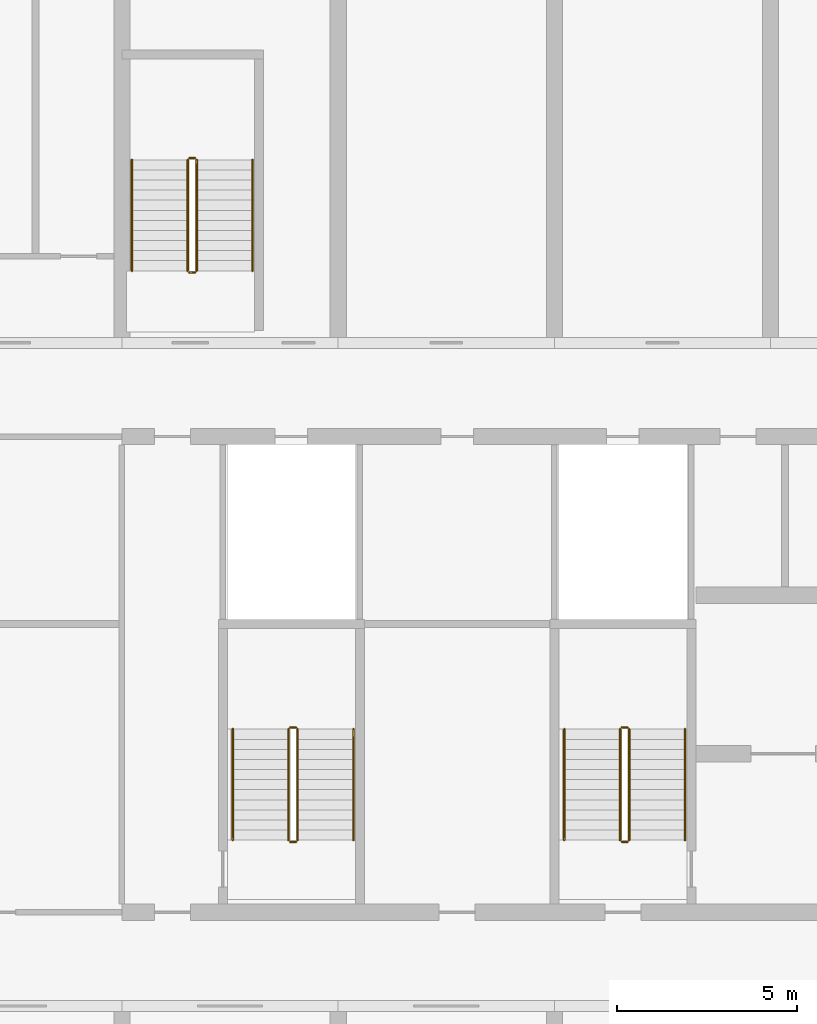
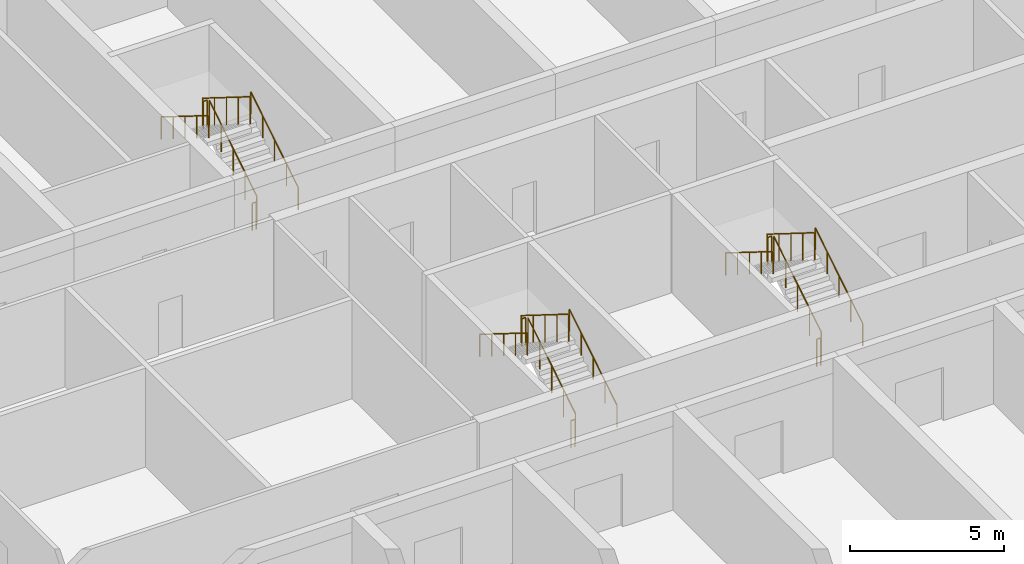
# One storey, part 13 of 16: 18 railings.
"""IFC4 building model written with IfcOpenShell, lengths in metres."""

from ifc_helpers import new_model, si_unit, direction, frame, origin, origin_2d, place, context, subcontext, project, spatial, circle, extrude, material, type_object, element, save


model = new_model("IFC4")

# Units and contexts
model_context = context("Model", 3, precision=1e-05, world=origin(), true_north=direction((0.0, 1.0)))
body_context = subcontext(model_context, "Body", "Model", "MODEL_VIEW")
ifc_project = project(units=[si_unit("LENGTHUNIT", "METRE"), si_unit("AREAUNIT", "SQUARE_METRE"), si_unit("VOLUMEUNIT", "CUBIC_METRE"), si_unit("PLANEANGLEUNIT", "RADIAN"), si_unit("MASSUNIT", "GRAM", prefix="KILO")], contexts=[model_context])

# Site, building, storey
site_placement = place(None, origin())
site = spatial("IfcSite", under=ifc_project, at=site_placement, CompositionType="ELEMENT")
building_placement = place(site_placement, origin())
building = spatial("IfcBuilding", under=site, at=building_placement, Name="Poui Terraces", CompositionType="ELEMENT")
storey_placement = place(building_placement, frame((0.0, 0.0, 15.0)))
storey = spatial("IfcBuildingStorey", under=building, at=storey_placement, Name="L03", CompositionType="ELEMENT", Elevation=15.0)

# Railings
ifc_material_1 = material(Name="Galvanised steel balustrade", Category="steel")
railing_type_1 = type_object("IfcRailingType", Name="STAIR GUARD 1100", PredefinedType="GUARDRAIL", material=ifc_material_1)
railing_1_placement = place(storey_placement, frame((32.074951171875, 16.60009765625, 0.175048828125)))
element("IfcRailing", 1, at=railing_1_placement, inside=storey, type_object=railing_type_1, Name="L03 ST-CW stair guard 1", PredefinedType="GUARDRAIL", context=body_context, shape_type="SweptSolid", body=[
    extrude(circle(Radius=0.02392578125, at=origin_2d()), frame((0.0, 0.0, 1.076171875), z_axis=(0.0, 0.847979421464, 0.530029150871), x_axis=(-1.0, 0.0, 0.0)), (0.0, 0.0, 1.0), 3.632080078125),
    extrude(circle(Radius=0.02099609375, at=origin_2d()), origin(), (0.0, 0.0, 1.0), 1.052001953125),
    extrude(circle(Radius=0.02099609375, at=origin_2d()), frame((0.0, 0.77001953125, 0.481201171875)), (0.0, 0.0, 1.0), 1.052001953125),
    extrude(circle(Radius=0.02099609375, at=origin_2d()), frame((0.0, 1.5400390625, 0.96240234375)), (0.0, 0.0, 1.0), 1.052001953125),
    extrude(circle(Radius=0.02099609375, at=origin_2d()), frame((0.0, 2.309814453125, 1.44384765625)), (0.0, 0.0, 1.0), 1.052001953125),
    extrude(circle(Radius=0.02099609375, at=origin_2d()), frame((0.0, 3.079833984375, 1.925048828125)), (0.0, 0.0, 1.0), 1.052001953125),
])
railing_2_placement = place(storey_placement, frame((32.02490234375, 19.72998046875, 2.10009765625)))
element("IfcRailing", 2, at=railing_2_placement, inside=storey, type_object=railing_type_1, Name="L03 ST-CW stair guard 2", PredefinedType="GUARDRAIL", context=body_context, shape_type="SweptSolid", body=[
    extrude(circle(Radius=0.02392578125, at=origin_2d()), frame((0.0, 0.0, 1.076171875), z_axis=(-1.0, 0.0, 0.0), x_axis=(0.0, -1.0, 0.0)), (0.0, 0.0, 1.0), 0.14990234375),
    extrude(circle(Radius=0.02099609375, at=origin_2d()), origin(), (0.0, 0.0, 1.0), 1.052001953125),
    extrude(circle(Radius=0.02099609375, at=origin_2d()), frame((-0.14990234375, 0.0, 0.0)), (0.0, 0.0, 1.0), 1.052001953125),
])
railing_3_placement = place(storey_placement, frame((31.824951171875, 19.679931640625, 2.27490234375)))
element("IfcRailing", 3, at=railing_3_placement, inside=storey, type_object=railing_type_1, Name="L03 ST-CW stair guard 3", PredefinedType="GUARDRAIL", context=body_context, shape_type="SweptSolid", body=[
    extrude(circle(Radius=0.02392578125, at=origin_2d()), frame((0.0, 0.0, 1.076171875), z_axis=(0.0, -0.847979421464, 0.530029150871), x_axis=(1.0, 0.0, 0.0)), (0.0, 0.0, 1.0), 3.632080078125),
    extrude(circle(Radius=0.02099609375, at=origin_2d()), origin(), (0.0, 0.0, 1.0), 1.052001953125),
    extrude(circle(Radius=0.02099609375, at=origin_2d()), frame((0.0, -0.77001953125, 0.481201171875)), (0.0, 0.0, 1.0), 1.052001953125),
    extrude(circle(Radius=0.02099609375, at=origin_2d()), frame((0.0, -1.5400390625, 0.96240234375)), (0.0, 0.0, 1.0), 1.052001953125),
    extrude(circle(Radius=0.02099609375, at=origin_2d()), frame((0.0, -2.309814453125, 1.44384765625)), (0.0, 0.0, 1.0), 1.052001953125),
    extrude(circle(Radius=0.02099609375, at=origin_2d()), frame((0.0, -3.079833984375, 1.925048828125)), (0.0, 0.0, 1.0), 1.052001953125),
])
railing_4_placement = place(storey_placement, frame((32.02490234375, 16.550048828125, 0.0)))
element("IfcRailing", 4, at=railing_4_placement, inside=storey, type_object=railing_type_1, Name="L03 ST-CW stair guard 4", PredefinedType="GUARDRAIL", context=body_context, shape_type="SweptSolid", body=[
    extrude(circle(Radius=0.02392578125, at=origin_2d()), frame((0.0, 0.0, 1.076171875), z_axis=(-1.0, 0.0, 0.0), x_axis=(0.0, -1.0, 0.0)), (0.0, 0.0, 1.0), 0.14990234375),
    extrude(circle(Radius=0.02099609375, at=origin_2d()), origin(), (0.0, 0.0, 1.0), 1.052001953125),
    extrude(circle(Radius=0.02099609375, at=origin_2d()), frame((-0.14990234375, 0.0, 0.0)), (0.0, 0.0, 1.0), 1.052001953125),
])
railing_5_placement = place(storey_placement, frame((22.875, 16.60009765625, 0.175048828125)))
element("IfcRailing", 5, at=railing_5_placement, inside=storey, type_object=railing_type_1, Name="L03 ST-W stair guard 1", PredefinedType="GUARDRAIL", context=body_context, shape_type="SweptSolid", body=[
    extrude(circle(Radius=0.02392578125, at=origin_2d()), frame((0.0, 0.0, 1.076171875), z_axis=(0.0, 0.847979421464, 0.530029150871), x_axis=(-1.0, 0.0, 0.0)), (0.0, 0.0, 1.0), 3.632080078125),
    extrude(circle(Radius=0.02099609375, at=origin_2d()), origin(), (0.0, 0.0, 1.0), 1.052001953125),
    extrude(circle(Radius=0.02099609375, at=origin_2d()), frame((0.0, 0.77001953125, 0.481201171875)), (0.0, 0.0, 1.0), 1.052001953125),
    extrude(circle(Radius=0.02099609375, at=origin_2d()), frame((0.0, 1.5400390625, 0.96240234375)), (0.0, 0.0, 1.0), 1.052001953125),
    extrude(circle(Radius=0.02099609375, at=origin_2d()), frame((0.0, 2.309814453125, 1.44384765625)), (0.0, 0.0, 1.0), 1.052001953125),
    extrude(circle(Radius=0.02099609375, at=origin_2d()), frame((0.0, 3.079833984375, 1.925048828125)), (0.0, 0.0, 1.0), 1.052001953125),
])
railing_6_placement = place(storey_placement, frame((22.824951171875, 19.72998046875, 2.10009765625)))
element("IfcRailing", 6, at=railing_6_placement, inside=storey, type_object=railing_type_1, Name="L03 ST-W stair guard 2", PredefinedType="GUARDRAIL", context=body_context, shape_type="SweptSolid", body=[
    extrude(circle(Radius=0.02392578125, at=origin_2d()), frame((0.0, 0.0, 1.076171875), z_axis=(-1.0, 0.0, 0.0), x_axis=(0.0, -1.0, 0.0)), (0.0, 0.0, 1.0), 0.14990234375),
    extrude(circle(Radius=0.02099609375, at=origin_2d()), origin(), (0.0, 0.0, 1.0), 1.052001953125),
    extrude(circle(Radius=0.02099609375, at=origin_2d()), frame((-0.14990234375, 0.0, 0.0)), (0.0, 0.0, 1.0), 1.052001953125),
])
railing_7_placement = place(storey_placement, frame((22.625, 19.679931640625, 2.27490234375)))
element("IfcRailing", 7, at=railing_7_placement, inside=storey, type_object=railing_type_1, Name="L03 ST-W stair guard 3", PredefinedType="GUARDRAIL", context=body_context, shape_type="SweptSolid", body=[
    extrude(circle(Radius=0.02392578125, at=origin_2d()), frame((0.0, 0.0, 1.076171875), z_axis=(0.0, -0.847979421464, 0.530029150871), x_axis=(1.0, 0.0, 0.0)), (0.0, 0.0, 1.0), 3.632080078125),
    extrude(circle(Radius=0.02099609375, at=origin_2d()), origin(), (0.0, 0.0, 1.0), 1.052001953125),
    extrude(circle(Radius=0.02099609375, at=origin_2d()), frame((0.0, -0.77001953125, 0.481201171875)), (0.0, 0.0, 1.0), 1.052001953125),
    extrude(circle(Radius=0.02099609375, at=origin_2d()), frame((0.0, -1.5400390625, 0.96240234375)), (0.0, 0.0, 1.0), 1.052001953125),
    extrude(circle(Radius=0.02099609375, at=origin_2d()), frame((0.0, -2.309814453125, 1.44384765625)), (0.0, 0.0, 1.0), 1.052001953125),
    extrude(circle(Radius=0.02099609375, at=origin_2d()), frame((0.0, -3.079833984375, 1.925048828125)), (0.0, 0.0, 1.0), 1.052001953125),
])
railing_8_placement = place(storey_placement, frame((22.824951171875, 16.550048828125, 0.0)))
element("IfcRailing", 8, at=railing_8_placement, inside=storey, type_object=railing_type_1, Name="L03 ST-W stair guard 4", PredefinedType="GUARDRAIL", context=body_context, shape_type="SweptSolid", body=[
    extrude(circle(Radius=0.02392578125, at=origin_2d()), frame((0.0, 0.0, 1.076171875), z_axis=(-1.0, 0.0, 0.0), x_axis=(0.0, -1.0, 0.0)), (0.0, 0.0, 1.0), 0.14990234375),
    extrude(circle(Radius=0.02099609375, at=origin_2d()), origin(), (0.0, 0.0, 1.0), 1.052001953125),
    extrude(circle(Radius=0.02099609375, at=origin_2d()), frame((-0.14990234375, 0.0, 0.0)), (0.0, 0.0, 1.0), 1.052001953125),
])
railing_9_placement = place(storey_placement, frame((20.074951171875, 32.39990234375, 0.175048828125)))
element("IfcRailing", 9, at=railing_9_placement, inside=storey, type_object=railing_type_1, Name="L03 ST-N1 stair guard 1", PredefinedType="GUARDRAIL", context=body_context, shape_type="SweptSolid", body=[
    extrude(circle(Radius=0.02392578125, at=origin_2d()), frame((0.0, 0.0, 1.076171875), z_axis=(0.0, 0.847998304005, 0.529998940003), x_axis=(-1.0, 0.0, 0.0)), (0.0, 0.0, 1.0), 3.632080078125),
    extrude(circle(Radius=0.02099609375, at=origin_2d()), origin(), (0.0, 0.0, 1.0), 1.052001953125),
    extrude(circle(Radius=0.02099609375, at=origin_2d()), frame((0.0, 0.77001953125, 0.481201171875)), (0.0, 0.0, 1.0), 1.052001953125),
    extrude(circle(Radius=0.02099609375, at=origin_2d()), frame((0.0, 1.5400390625, 0.96240234375)), (0.0, 0.0, 1.0), 1.052001953125),
    extrude(circle(Radius=0.02099609375, at=origin_2d()), frame((0.0, 2.31005859375, 1.44384765625)), (0.0, 0.0, 1.0), 1.052001953125),
    extrude(circle(Radius=0.02099609375, at=origin_2d()), frame((0.0, 3.080078125, 1.925048828125)), (0.0, 0.0, 1.0), 1.052001953125),
])
railing_10_placement = place(storey_placement, frame((20.02490234375, 35.530029296875, 2.10009765625)))
element("IfcRailing", 10, at=railing_10_placement, inside=storey, type_object=railing_type_1, Name="L03 ST-N1 stair guard 2", PredefinedType="GUARDRAIL", context=body_context, shape_type="SweptSolid", body=[
    extrude(circle(Radius=0.02392578125, at=origin_2d()), frame((0.0, 0.0, 1.076171875), z_axis=(-1.0, 0.0, 0.0), x_axis=(0.0, -1.0, 0.0)), (0.0, 0.0, 1.0), 0.14990234375),
    extrude(circle(Radius=0.02099609375, at=origin_2d()), origin(), (0.0, 0.0, 1.0), 1.052001953125),
    extrude(circle(Radius=0.02099609375, at=origin_2d()), frame((-0.14990234375, 0.0, 0.0)), (0.0, 0.0, 1.0), 1.052001953125),
])
railing_11_placement = place(storey_placement, frame((19.824951171875, 35.47998046875, 2.27490234375)))
element("IfcRailing", 11, at=railing_11_placement, inside=storey, type_object=railing_type_1, Name="L03 ST-N1 stair guard 3", PredefinedType="GUARDRAIL", context=body_context, shape_type="SweptSolid", body=[
    extrude(circle(Radius=0.02392578125, at=origin_2d()), frame((0.0, 0.0, 1.076171875), z_axis=(0.0, -0.847998304005, 0.529998940003), x_axis=(1.0, 0.0, 0.0)), (0.0, 0.0, 1.0), 3.632080078125),
    extrude(circle(Radius=0.02099609375, at=origin_2d()), origin(), (0.0, 0.0, 1.0), 1.052001953125),
    extrude(circle(Radius=0.02099609375, at=origin_2d()), frame((0.0, -0.77001953125, 0.481201171875)), (0.0, 0.0, 1.0), 1.052001953125),
    extrude(circle(Radius=0.02099609375, at=origin_2d()), frame((0.0, -1.5400390625, 0.96240234375)), (0.0, 0.0, 1.0), 1.052001953125),
    extrude(circle(Radius=0.02099609375, at=origin_2d()), frame((0.0, -2.31005859375, 1.44384765625)), (0.0, 0.0, 1.0), 1.052001953125),
    extrude(circle(Radius=0.02099609375, at=origin_2d()), frame((0.0, -3.080078125, 1.925048828125)), (0.0, 0.0, 1.0), 1.052001953125),
])
railing_12_placement = place(storey_placement, frame((20.02490234375, 32.35009765625, 0.0)))
element("IfcRailing", 12, at=railing_12_placement, inside=storey, type_object=railing_type_1, Name="L03 ST-N1 stair guard 4", PredefinedType="GUARDRAIL", context=body_context, shape_type="SweptSolid", body=[
    extrude(circle(Radius=0.02392578125, at=origin_2d()), frame((0.0, 0.0, 1.076171875), z_axis=(-1.0, 0.0, 0.0), x_axis=(0.0, -1.0, 0.0)), (0.0, 0.0, 1.0), 0.14990234375),
    extrude(circle(Radius=0.02099609375, at=origin_2d()), origin(), (0.0, 0.0, 1.0), 1.052001953125),
    extrude(circle(Radius=0.02099609375, at=origin_2d()), frame((-0.14990234375, 0.0, 0.0)), (0.0, 0.0, 1.0), 1.052001953125),
])
ifc_material_2 = material(Name="Stainless steel handrail", Category="steel")
railing_type_2 = type_object("IfcRailingType", Name="STAIR HANDRAIL 900", PredefinedType="HANDRAIL", material=ifc_material_2)
railing_13_placement = place(storey_placement, frame((33.625, 16.60009765625, 0.175048828125)))
element("IfcRailing", 13, at=railing_13_placement, inside=storey, type_object=railing_type_2, Name="L03 ST-CW stair handrail 1", PredefinedType="HANDRAIL", context=body_context, shape_type="SweptSolid", body=[
    extrude(circle(Radius=0.02392578125, at=origin_2d()), frame((0.0, 0.0, 0.8759765625), z_axis=(0.0, 0.847979421464, 0.530029150871), x_axis=(-1.0, 0.0, 0.0)), (0.0, 0.0, 1.0), 3.632080078125),
    extrude(circle(Radius=0.02099609375, at=origin_2d()), origin(), (0.0, 0.0, 1.0), 0.851806640625),
    extrude(circle(Radius=0.02099609375, at=origin_2d()), frame((0.0, 0.77001953125, 0.481201171875)), (0.0, 0.0, 1.0), 0.851806640625),
    extrude(circle(Radius=0.02099609375, at=origin_2d()), frame((0.0, 1.5400390625, 0.96240234375)), (0.0, 0.0, 1.0), 0.851806640625),
    extrude(circle(Radius=0.02099609375, at=origin_2d()), frame((0.0, 2.309814453125, 1.44384765625)), (0.0, 0.0, 1.0), 0.851806640625),
    extrude(circle(Radius=0.02099609375, at=origin_2d()), frame((0.0, 3.079833984375, 1.925048828125)), (0.0, 0.0, 1.0), 0.851806640625),
])
railing_14_placement = place(storey_placement, frame((30.27490234375, 19.679931640625, 2.27490234375)))
element("IfcRailing", 14, at=railing_14_placement, inside=storey, type_object=railing_type_2, Name="L03 ST-CW stair handrail 2", PredefinedType="HANDRAIL", context=body_context, shape_type="SweptSolid", body=[
    extrude(circle(Radius=0.02392578125, at=origin_2d()), frame((0.0, 0.0, 0.8759765625), z_axis=(0.0, -0.847979421464, 0.530029150871), x_axis=(1.0, 0.0, 0.0)), (0.0, 0.0, 1.0), 3.632080078125),
    extrude(circle(Radius=0.02099609375, at=origin_2d()), origin(), (0.0, 0.0, 1.0), 0.851806640625),
    extrude(circle(Radius=0.02099609375, at=origin_2d()), frame((0.0, -0.77001953125, 0.481201171875)), (0.0, 0.0, 1.0), 0.851806640625),
    extrude(circle(Radius=0.02099609375, at=origin_2d()), frame((0.0, -1.5400390625, 0.96240234375)), (0.0, 0.0, 1.0), 0.851806640625),
    extrude(circle(Radius=0.02099609375, at=origin_2d()), frame((0.0, -2.309814453125, 1.44384765625)), (0.0, 0.0, 1.0), 0.851806640625),
    extrude(circle(Radius=0.02099609375, at=origin_2d()), frame((0.0, -3.079833984375, 1.925048828125)), (0.0, 0.0, 1.0), 0.851806640625),
])
railing_15_placement = place(storey_placement, frame((24.425048828125, 16.60009765625, 0.175048828125)))
element("IfcRailing", 15, at=railing_15_placement, inside=storey, type_object=railing_type_2, Name="L03 ST-W stair handrail 1", PredefinedType="HANDRAIL", context=body_context, shape_type="SweptSolid", body=[
    extrude(circle(Radius=0.02392578125, at=origin_2d()), frame((0.0, 0.0, 0.8759765625), z_axis=(0.0, 0.847979421464, 0.530029150871), x_axis=(-1.0, 0.0, 0.0)), (0.0, 0.0, 1.0), 3.632080078125),
    extrude(circle(Radius=0.02099609375, at=origin_2d()), origin(), (0.0, 0.0, 1.0), 0.851806640625),
    extrude(circle(Radius=0.02099609375, at=origin_2d()), frame((0.0, 0.77001953125, 0.481201171875)), (0.0, 0.0, 1.0), 0.851806640625),
    extrude(circle(Radius=0.02099609375, at=origin_2d()), frame((0.0, 1.5400390625, 0.96240234375)), (0.0, 0.0, 1.0), 0.851806640625),
    extrude(circle(Radius=0.02099609375, at=origin_2d()), frame((0.0, 2.309814453125, 1.44384765625)), (0.0, 0.0, 1.0), 0.851806640625),
    extrude(circle(Radius=0.02099609375, at=origin_2d()), frame((0.0, 3.079833984375, 1.925048828125)), (0.0, 0.0, 1.0), 0.851806640625),
])
railing_16_placement = place(storey_placement, frame((21.074951171875, 19.679931640625, 2.27490234375)))
element("IfcRailing", 16, at=railing_16_placement, inside=storey, type_object=railing_type_2, Name="L03 ST-W stair handrail 2", PredefinedType="HANDRAIL", context=body_context, shape_type="SweptSolid", body=[
    extrude(circle(Radius=0.02392578125, at=origin_2d()), frame((0.0, 0.0, 0.8759765625), z_axis=(0.0, -0.847979421464, 0.530029150871), x_axis=(1.0, 0.0, 0.0)), (0.0, 0.0, 1.0), 3.632080078125),
    extrude(circle(Radius=0.02099609375, at=origin_2d()), origin(), (0.0, 0.0, 1.0), 0.851806640625),
    extrude(circle(Radius=0.02099609375, at=origin_2d()), frame((0.0, -0.77001953125, 0.481201171875)), (0.0, 0.0, 1.0), 0.851806640625),
    extrude(circle(Radius=0.02099609375, at=origin_2d()), frame((0.0, -1.5400390625, 0.96240234375)), (0.0, 0.0, 1.0), 0.851806640625),
    extrude(circle(Radius=0.02099609375, at=origin_2d()), frame((0.0, -2.309814453125, 1.44384765625)), (0.0, 0.0, 1.0), 0.851806640625),
    extrude(circle(Radius=0.02099609375, at=origin_2d()), frame((0.0, -3.079833984375, 1.925048828125)), (0.0, 0.0, 1.0), 0.851806640625),
])
railing_17_placement = place(storey_placement, frame((21.625, 32.39990234375, 0.175048828125)))
element("IfcRailing", 17, at=railing_17_placement, inside=storey, type_object=railing_type_2, Name="L03 ST-N1 stair handrail 1", PredefinedType="HANDRAIL", context=body_context, shape_type="SweptSolid", body=[
    extrude(circle(Radius=0.02392578125, at=origin_2d()), frame((0.0, 0.0, 0.8759765625), z_axis=(0.0, 0.847998304005, 0.529998940003), x_axis=(-1.0, 0.0, 0.0)), (0.0, 0.0, 1.0), 3.632080078125),
    extrude(circle(Radius=0.02099609375, at=origin_2d()), origin(), (0.0, 0.0, 1.0), 0.851806640625),
    extrude(circle(Radius=0.02099609375, at=origin_2d()), frame((0.0, 0.77001953125, 0.481201171875)), (0.0, 0.0, 1.0), 0.851806640625),
    extrude(circle(Radius=0.02099609375, at=origin_2d()), frame((0.0, 1.5400390625, 0.96240234375)), (0.0, 0.0, 1.0), 0.851806640625),
    extrude(circle(Radius=0.02099609375, at=origin_2d()), frame((0.0, 2.31005859375, 1.44384765625)), (0.0, 0.0, 1.0), 0.851806640625),
    extrude(circle(Radius=0.02099609375, at=origin_2d()), frame((0.0, 3.080078125, 1.925048828125)), (0.0, 0.0, 1.0), 0.851806640625),
])
railing_18_placement = place(storey_placement, frame((18.27490234375, 35.47998046875, 2.27490234375)))
element("IfcRailing", 18, at=railing_18_placement, inside=storey, type_object=railing_type_2, Name="L03 ST-N1 stair handrail 2", PredefinedType="HANDRAIL", context=body_context, shape_type="SweptSolid", body=[
    extrude(circle(Radius=0.02392578125, at=origin_2d()), frame((0.0, 0.0, 0.8759765625), z_axis=(0.0, -0.847998304005, 0.529998940003), x_axis=(1.0, 0.0, 0.0)), (0.0, 0.0, 1.0), 3.632080078125),
    extrude(circle(Radius=0.02099609375, at=origin_2d()), origin(), (0.0, 0.0, 1.0), 0.851806640625),
    extrude(circle(Radius=0.02099609375, at=origin_2d()), frame((0.0, -0.77001953125, 0.481201171875)), (0.0, 0.0, 1.0), 0.851806640625),
    extrude(circle(Radius=0.02099609375, at=origin_2d()), frame((0.0, -1.5400390625, 0.96240234375)), (0.0, 0.0, 1.0), 0.851806640625),
    extrude(circle(Radius=0.02099609375, at=origin_2d()), frame((0.0, -2.31005859375, 1.44384765625)), (0.0, 0.0, 1.0), 0.851806640625),
    extrude(circle(Radius=0.02099609375, at=origin_2d()), frame((0.0, -3.080078125, 1.925048828125)), (0.0, 0.0, 1.0), 0.851806640625),
])

save(model, "model.ifc")
